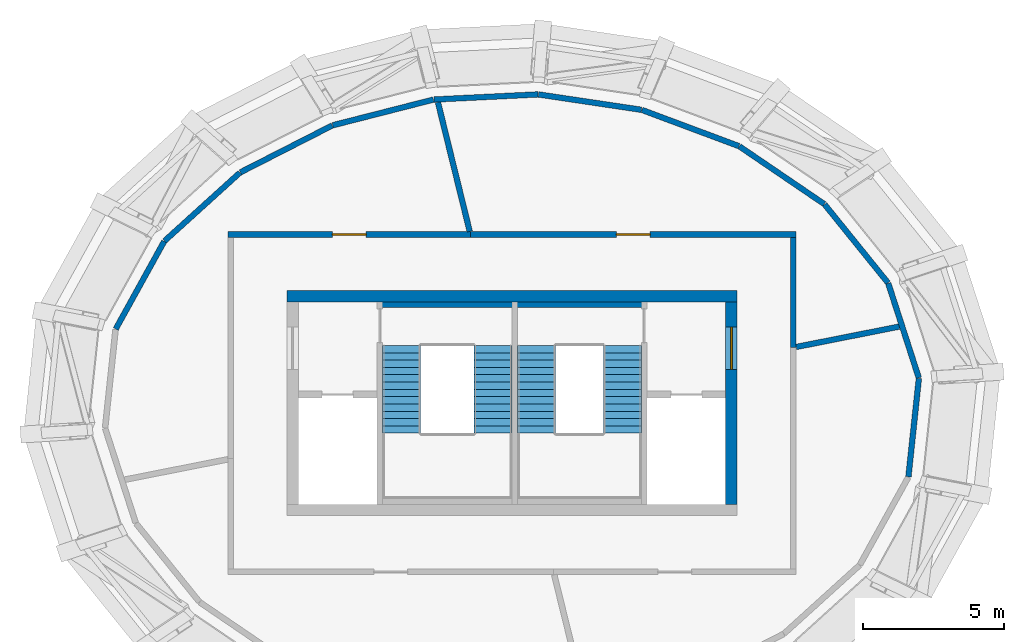
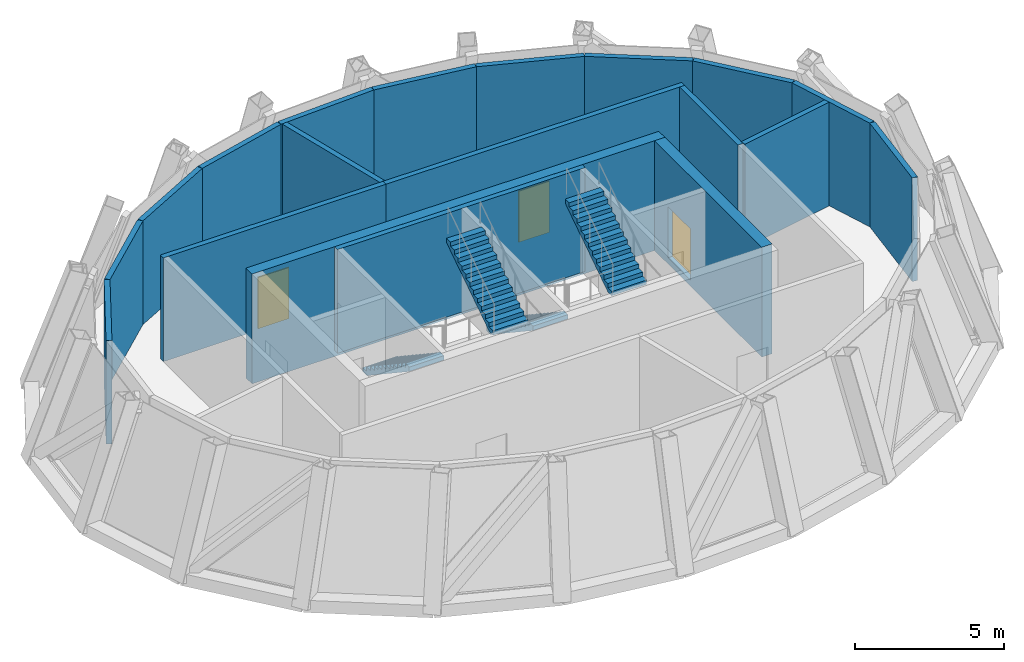
# One storey, part 5 of 6: 19 walls, 4 stair flights, 3 doors, 3 openings, 2 elements without a shape of their own.
"""IFC4 building model written with IfcOpenShell, lengths in metres."""

import ifcopenshell
import ifcopenshell.guid

model = None  # the IFC model being written
_history = None  # IfcOwnerHistory: only IFC2X3 demands one
_inside = {}  # id of a spatial element -> (the spatial element, [elements in it])
_under = {}  # id of a project, library or spatial element -> (it, [spatial elements below it])
_declared = {}  # id of a project -> (the project, [libraries it declares])
_typed = {}  # id of a type object -> (the type object, [elements of that type])
_made_of = {}  # id of a material, layer set ... -> (it, [elements and type objects made of it])


def new_model(schema):
    """Start an empty IFC model of exactly this schema.

    Asked for "IFC4X3", IfcOpenShell would pick the latest addendum, in which some entities
    have other attributes; the version numbers below select the first issue.
    IFC2X3 requires an IfcOwnerHistory on every rooted entity: one is made here for all.
    """
    global model, _history
    if schema == "IFC4X3":
        model = ifcopenshell.file(schema_version=(4, 3, 0, 0))
    else:
        model = ifcopenshell.file(schema=schema)
    _inside.clear()
    _under.clear()
    _declared.clear()
    _typed.clear()
    _made_of.clear()
    _history = None
    if model.schema == "IFC2X3":
        org = make("IfcOrganization", Name="unknown")
        user = make(
            "IfcPersonAndOrganization",
            ThePerson=make("IfcPerson", FamilyName="unknown"),
            TheOrganization=org,
        )
        app = make(
            "IfcApplication",
            ApplicationDeveloper=org,
            Version="unknown",
            ApplicationFullName="unknown",
            ApplicationIdentifier="unknown",
        )
        _history = make(
            "IfcOwnerHistory",
            OwningUser=user,
            OwningApplication=app,
            ChangeAction="ADDED",
            CreationDate=0,
        )
    return model


def make(cls, **values):
    """One entity of the class cls with the attributes given. An attribute that is None is left unset."""
    return model.create_entity(
        cls, **{name: value for name, value in values.items() if value is not None}
    )


def rooted(cls, **values):
    """An entity with a GlobalId (a new one), such as an element, a storey or a relation."""
    return make(cls, GlobalId=ifcopenshell.guid.new(), OwnerHistory=_history, **values)


def si_unit(unit_type, name, prefix=None):
    """IfcSIUnit, for example si_unit("LENGTHUNIT", "METRE", prefix="MILLI")."""
    return make("IfcSIUnit", UnitType=unit_type, Prefix=prefix, Name=name)


def assignment(units):
    """IfcUnitAssignment: the units of a project."""
    return None if units is None else make("IfcUnitAssignment", Units=units)


def point(xyz):
    """IfcCartesianPoint."""
    return None if xyz is None else make("IfcCartesianPoint", Coordinates=xyz)


def direction(xyz):
    """IfcDirection."""
    return None if xyz is None else make("IfcDirection", DirectionRatios=xyz)


def frame(location, z_axis=None, x_axis=None):
    """IfcAxis2Placement3D, a coordinate frame: its origin and axes. An axis left out is left unset."""
    return make(
        "IfcAxis2Placement3D",
        Location=point(location),
        Axis=direction(z_axis),
        RefDirection=direction(x_axis),
    )


def frame_2d(location, x_axis=None):
    """IfcAxis2Placement2D, a coordinate frame in the plane: its origin and x axis."""
    return make(
        "IfcAxis2Placement2D", Location=point(location), RefDirection=direction(x_axis)
    )


def origin():
    """The frame at (0, 0, 0) with its axes left unset."""
    return frame((0.0, 0.0, 0.0))


def place(relative_to, where):
    """IfcLocalPlacement: puts the frame where relative to a parent placement (None: the world)."""
    return make(
        "IfcLocalPlacement", PlacementRelTo=relative_to, RelativePlacement=where
    )


def context(
    kind, dimensions, precision=None, world=None, true_north=None, identifier=None
):
    """IfcGeometricRepresentationContext, for example the 3D "Model" context."""
    return make(
        "IfcGeometricRepresentationContext",
        ContextIdentifier=identifier,
        ContextType=kind,
        CoordinateSpaceDimension=dimensions,
        Precision=precision,
        WorldCoordinateSystem=world,
        TrueNorth=true_north,
    )


def subcontext(parent, identifier, kind, view, scale=None):
    """IfcGeometricRepresentationSubContext, for example "Body" below "Model"."""
    return make(
        "IfcGeometricRepresentationSubContext",
        ContextIdentifier=identifier,
        ContextType=kind,
        ParentContext=parent,
        TargetScale=scale,
        TargetView=view,
    )


def project(units=None, contexts=None):
    """IfcProject with its units and contexts."""
    return rooted(
        "IfcProject",
        Name="project",
        RepresentationContexts=contexts,
        UnitsInContext=assignment(units),
    )


def spatial(cls, under=None, at=None, **own):
    """A site, building, storey or space (cls), placed at a placement, below another one or the project."""
    s = rooted(cls, ObjectPlacement=at, **own)
    if under is not None:
        _under.setdefault(under.id(), (under, []))[1].append(s)
    return s


def polyline(points):
    """IfcPolyline through the points."""
    return make("IfcPolyline", Points=[point(p) for p in points])


def profile(cls, at=None, kind="AREA", **sizes):
    """A parametric profile (cls). Its sizes go by their IFC names, for example OverallWidth=200.0."""
    return make(cls, ProfileType=kind, Position=at, **sizes)


def rectangle(**sizes):
    """IfcRectangleProfileDef."""
    return profile("IfcRectangleProfileDef", **sizes)


def outline(outer, holes=None, kind="AREA"):
    """IfcArbitraryClosedProfileDef: a profile drawn as a closed curve; with holes, ...WithVoids."""
    if holes is None:
        return make("IfcArbitraryClosedProfileDef", ProfileType=kind, OuterCurve=outer)
    return make(
        "IfcArbitraryProfileDefWithVoids",
        ProfileType=kind,
        OuterCurve=outer,
        InnerCurves=holes,
    )


def extrude(swept, where, along, depth):
    """IfcExtrudedAreaSolid: the profile swept, set in the frame where, extruded along a direction by depth."""
    return make(
        "IfcExtrudedAreaSolid",
        SweptArea=swept,
        Position=where,
        ExtrudedDirection=direction(along),
        Depth=depth,
    )


def shape(context_of_items, identifier, shape_type, items):
    """IfcShapeRepresentation: the items that make up one representation, for example the "Body"."""
    return make(
        "IfcShapeRepresentation",
        ContextOfItems=context_of_items,
        RepresentationIdentifier=identifier,
        RepresentationType=shape_type,
        Items=items,
    )


def source(mapping_origin, context_of_items, identifier, shape_type, items):
    """IfcRepresentationMap: a shape defined once, which mapped items show again and again."""
    return make(
        "IfcRepresentationMap",
        MappingOrigin=mapping_origin,
        MappedRepresentation=shape(context_of_items, identifier, shape_type, items),
    )


def transform(
    local_origin,
    x_axis=None,
    y_axis=None,
    z_axis=None,
    scale=None,
    scale2=None,
    scale3=None,
    uniform=True,
):
    """IfcCartesianTransformationOperator3D, or its non-uniform kind. x_axis, y_axis, z_axis: its Axis1, 2, 3."""
    if uniform:
        return make(
            "IfcCartesianTransformationOperator3D",
            Axis1=direction(x_axis),
            Axis2=direction(y_axis),
            LocalOrigin=point(local_origin),
            Scale=scale,
            Axis3=direction(z_axis),
        )
    return make(
        "IfcCartesianTransformationOperator3DnonUniform",
        Axis1=direction(x_axis),
        Axis2=direction(y_axis),
        LocalOrigin=point(local_origin),
        Scale=scale,
        Axis3=direction(z_axis),
        Scale2=scale2,
        Scale3=scale3,
    )


def mapped(mapping_source, mapping_target):
    """IfcMappedItem: shows the shape of a source again, moved by a transform."""
    return make(
        "IfcMappedItem", MappingSource=mapping_source, MappingTarget=mapping_target
    )


def material(Name=None, Category=None):
    """IfcMaterial."""
    return make("IfcMaterial", Name=Name, Category=Category)


def layer(
    of_material, thickness, ventilated=None, Name=None, Category=None, Priority=None
):
    """IfcMaterialLayer: one layer of a wall or slab, of a material (None: an air gap)."""
    return make(
        "IfcMaterialLayer",
        Material=of_material,
        LayerThickness=thickness,
        IsVentilated=ventilated,
        Name=Name,
        Category=Category,
        Priority=Priority,
    )


def layer_set(layers, Name=None):
    """IfcMaterialLayerSet."""
    return make("IfcMaterialLayerSet", MaterialLayers=layers, LayerSetName=Name)


def made_of(thing, what):
    """Note that an element or type object is made of a material, layer set ...; save() writes the relation."""
    if what is not None:
        _made_of.setdefault(what.id(), (what, []))[1].append(thing)
    return thing


def type_object(cls, material=None, **own):
    """A type object (cls), such as IfcWallType, which elements share."""
    return made_of(rooted(cls, **own), material)


def element(
    cls,
    number,
    at=None,
    inside=None,
    cuts=None,
    type_object=None,
    material=None,
    context=None,
    identifier="Body",
    shape_type=None,
    held_by="IfcProductDefinitionShape",
    body=None,
    shapes=None,
    **own,
):
    """One element of the class cls, such as IfcWall. Its Tag is "e" and its number.

    at: its placement. inside: the storey or other place that contains it. cuts: it is an
    opening in that element (IfcRelVoidsElement). A single representation is given by context,
    identifier, shape_type and body (its items); several are given by shapes. held_by: the class
    of the entity that holds the representations. save() writes the other relations.
    """
    e = rooted(cls, Tag="e%d" % number, ObjectPlacement=at, **own)
    if body is not None:
        shapes = [shape(context, identifier, shape_type, body)]
    if shapes is not None:
        e.Representation = make(held_by, Representations=shapes)
    if inside is not None:
        _inside.setdefault(inside.id(), (inside, []))[1].append(e)
    if cuts is not None:
        rooted(
            "IfcRelVoidsElement", RelatingBuildingElement=cuts, RelatedOpeningElement=e
        )
    if type_object is not None:
        _typed.setdefault(type_object.id(), (type_object, []))[1].append(e)
    return made_of(e, material)


def fill(opening, filler):
    """IfcRelFillsElement: the door or window that sits in an opening."""
    return rooted(
        "IfcRelFillsElement",
        RelatingOpeningElement=opening,
        RelatedBuildingElement=filler,
    )


def aggregate(whole, parts):
    """IfcRelAggregates: a whole, such as a stair, and the parts it consists of."""
    return rooted("IfcRelAggregates", RelatingObject=whole, RelatedObjects=parts)


def save(model, path):
    """Write the relations noted so far, then the file.

    IfcRelAggregates (storeys below a building ...), IfcRelContainedInSpatialStructure (elements
    in a storey), IfcRelDefinesByType, IfcRelAssociatesMaterial and IfcRelDeclares: one each for
    every whole, place, type object, material and project.
    """
    for whole, parts in _under.values():
        aggregate(whole, parts)
    for where, things in _inside.values():
        rooted(
            "IfcRelContainedInSpatialStructure",
            RelatedElements=things,
            RelatingStructure=where,
        )
    for kind, things in _typed.values():
        rooted("IfcRelDefinesByType", RelatedObjects=things, RelatingType=kind)
    for what, things in _made_of.values():
        rooted("IfcRelAssociatesMaterial", RelatedObjects=things, RelatingMaterial=what)
    for by, libraries in _declared.values():
        rooted("IfcRelDeclares", RelatingContext=by, RelatedDefinitions=libraries)
    model.write(path)


model = new_model("IFC4")

# Units and contexts
model_context = context("Model", 3, precision=1e-05, world=origin(), true_north=direction((0.0, 1.0)))
body_context = subcontext(model_context, "Body", "Model", "MODEL_VIEW")
ifc_project = project(units=[si_unit("LENGTHUNIT", "METRE"), si_unit("AREAUNIT", "SQUARE_METRE"), si_unit("VOLUMEUNIT", "CUBIC_METRE"), si_unit("PLANEANGLEUNIT", "RADIAN"), si_unit("MASSUNIT", "GRAM", prefix="KILO")], contexts=[model_context])

# Site, building, storey
site_placement = place(None, origin())
site = spatial("IfcSite", under=ifc_project, at=site_placement, CompositionType="ELEMENT")
building_placement = place(site_placement, origin())
building = spatial("IfcBuilding", under=site, at=building_placement, Name="Embergate Tower", CompositionType="ELEMENT")
storey_placement = place(building_placement, frame((0.0, 0.0, 361.0)))
storey = spatial("IfcBuildingStorey", under=building, at=storey_placement, Name="L82", CompositionType="ELEMENT", Elevation=361.0)

# Wall
ifc_material_1 = material(Name="Concrete C50", Category="concrete")
ifc_layer_1 = layer(ifc_material_1, 0.39990234375)
ifc_layer_set_1 = layer_set([ifc_layer_1], Name="Concrete C50")
wall_type_1 = type_object("IfcWallType", Name="Core outer wall C50 400", PredefinedType="SHEAR", material=ifc_layer_set_1)
shared_shape_1 = source(origin(), body_context, "Body", "SweptSolid", [
    extrude(rectangle(XDim=16.0, YDim=0.39990234375, at=frame_2d((8.0, 0.0))), origin(), (0.0, 0.0, 1.0), 4.5),
])
wall_1_placement = place(storey_placement, frame((-8.0, 3.800048828125, -0.25), z_axis=(0.0, 0.0, 1.0), x_axis=(1.0, 0.0, 0.0)))
element("IfcWall", 1, at=wall_1_placement, inside=storey, type_object=wall_type_1, Name="CW-L82-N", PredefinedType="SHEAR", context=body_context, shape_type="MappedRepresentation", body=[
    mapped(shared_shape_1, transform((0.0, 0.0, 0.0))),
])

# Wall, opening, door
shared_shape_2 = source(origin(), body_context, "Body", "SweptSolid", [
    extrude(rectangle(XDim=7.2001953125, YDim=0.39990234375, at=frame_2d((3.60009765625, 0.0))), origin(), (0.0, 0.0, 1.0), 4.5),
])
wall_2_placement = place(storey_placement, frame((7.800048828125, -3.60009765625, -0.25), z_axis=(0.0, 0.0, 1.0), x_axis=(0.0, 1.0, 0.0)))
wall_2 = element("IfcWall", 2, at=wall_2_placement, inside=storey, type_object=wall_type_1, Name="CW-L82-E", PredefinedType="SHEAR", context=body_context, shape_type="MappedRepresentation", body=[
    mapped(shared_shape_2, transform((0.0, 0.0, 0.0))),
])
shared_shape_3 = source(origin(), body_context, "Body", "SweptSolid", [
    extrude(rectangle(XDim=1.5, YDim=2.10009765625, at=frame_2d((0.75, 1.050048828125))), frame((0.0, 0.2099609375, 0.0), z_axis=(0.0, -1.0, 0.0), x_axis=(1.0, 0.0, 0.0)), (0.0, 0.0, 1.0), 0.419921875),
])
opening_1_placement = place(wall_2_placement, frame((4.800048828125, 0.0, 0.25)))
opening_1 = element("IfcOpeningElement", 3, at=opening_1_placement, cuts=wall_2, Name="Opening IF-3", PredefinedType="OPENING", context=body_context, shape_type="MappedRepresentation", body=[
    mapped(shared_shape_3, transform((0.0, 0.0, 0.0))),
])
ifc_material_2 = material(Name="Lobby fire door pair 1500")
door_type_1 = type_object("IfcDoorType", Name="Lobby fire door pair 1500", OperationType="DOUBLE_DOOR_SINGLE_SWING", PredefinedType="DOOR", material=ifc_material_2)
shared_shape_4 = source(origin(), body_context, "Body", "SweptSolid", [
    extrude(rectangle(XDim=1.5, YDim=2.10009765625, at=frame_2d((0.75, 1.050048828125))), frame((0.0, 0.02490234375, 0.0), z_axis=(0.0, -1.0, 0.0), x_axis=(1.0, 0.0, 0.0)), (0.0, 0.0, 1.0), 0.050048828125),
])
door_1_placement = place(opening_1_placement, origin())
door_1 = element("IfcDoor", 4, at=door_1_placement, inside=storey, type_object=door_type_1, Name="IF-3 door", OperationType="DOUBLE_DOOR_SINGLE_SWING", OverallHeight=2.10009765625, OverallWidth=1.5, PredefinedType="DOOR", context=body_context, shape_type="MappedRepresentation", body=[
    mapped(shared_shape_4, transform((0.0, 0.0, 0.0))),
])
fill(opening_1, door_1)

# Walls
ifc_material_3 = material(Name="Terracotta louvre cladding on insulated backing", Category="masonry")
ifc_layer_2 = layer(ifc_material_3, 0.199951171875)
ifc_layer_set_2 = layer_set([ifc_layer_2], Name="Terracotta louvre cladding on insulated backing")
wall_type_2 = type_object("IfcWallType", Name="Terracotta louvre wall", PredefinedType="SOLIDWALL", material=ifc_layer_set_2)
shared_shape_5 = source(origin(), body_context, "Body", "SweptSolid", [
    extrude(rectangle(XDim=3.588623046875, YDim=0.199951171875, at=frame_2d((1.79443359375, 0.0))), origin(), (0.0, 0.0, 1.0), 4.25),
])
wall_3_placement = place(storey_placement, frame((11.118408203125, 7.068603515625, 0.0), z_axis=(0.0, 0.0, 1.0), x_axis=(0.62833869063, -0.777939901186, 0.0)))
element("IfcWall", 5, at=wall_3_placement, inside=storey, type_object=wall_type_2, Name="Crown louvre wall 1", PredefinedType="SOLIDWALL", context=body_context, shape_type="MappedRepresentation", body=[
    mapped(shared_shape_5, transform((0.0, 0.0, 0.0))),
])
shared_shape_6 = source(origin(), body_context, "Body", "SweptSolid", [
    extrude(rectangle(XDim=3.645263671875, YDim=0.199951171875, at=frame_2d((1.82275390625, 0.0))), origin(), (0.0, 0.0, 1.0), 4.25),
])
wall_4_placement = place(storey_placement, frame((8.089599609375, 9.131591796875, 0.0), z_axis=(0.0, 0.0, 1.0), x_axis=(0.826956398418, -0.562266053675, 0.0)))
element("IfcWall", 6, at=wall_4_placement, inside=storey, type_object=wall_type_2, Name="Crown louvre wall 2", PredefinedType="SOLIDWALL", context=body_context, shape_type="MappedRepresentation", body=[
    mapped(shared_shape_6, transform((0.0, 0.0, 0.0))),
])
shared_shape_7 = source(origin(), body_context, "Body", "SweptSolid", [
    extrude(rectangle(XDim=3.682373046875, YDim=0.199951171875, at=frame_2d((1.84130859375, 0.0))), origin(), (0.0, 0.0, 1.0), 4.25),
])
wall_5_placement = place(storey_placement, frame((4.6220703125, 10.427978515625, 0.0), z_axis=(0.0, 0.0, 1.0), x_axis=(0.936897406931, -0.349604417716, 0.0)))
element("IfcWall", 7, at=wall_5_placement, inside=storey, type_object=wall_type_2, Name="Crown louvre wall 3", PredefinedType="SOLIDWALL", context=body_context, shape_type="MappedRepresentation", body=[
    mapped(shared_shape_7, transform((0.0, 0.0, 0.0))),
])
shared_shape_8 = source(origin(), body_context, "Body", "SweptSolid", [
    extrude(rectangle(XDim=3.701171875, YDim=0.199951171875, at=frame_2d((1.8505859375, 0.0))), origin(), (0.0, 0.0, 1.0), 4.25),
])
wall_6_placement = place(storey_placement, frame((0.942138671875, 10.97900390625, 0.0), z_axis=(0.0, 0.0, 1.0), x_axis=(0.989053133618, -0.147559814586, 0.0)))
element("IfcWall", 8, at=wall_6_placement, inside=storey, type_object=wall_type_2, Name="Crown louvre wall 4", PredefinedType="SOLIDWALL", context=body_context, shape_type="MappedRepresentation", body=[
    mapped(shared_shape_8, transform((0.0, 0.0, 0.0))),
])
shared_shape_9 = source(origin(), body_context, "Body", "SweptSolid", [
    extrude(rectangle(XDim=3.703857421875, YDim=0.199951171875, at=frame_2d((1.85205078125, 0.0))), origin(), (0.0, 0.0, 1.0), 4.25),
])
wall_7_placement = place(storey_placement, frame((-2.77734375, 10.798583984375, 0.0), z_axis=(0.0, 0.0, 1.0), x_axis=(0.998800036237, 0.04897435669, 0.0)))
element("IfcWall", 9, at=wall_7_placement, inside=storey, type_object=wall_type_2, Name="Crown louvre wall 5", PredefinedType="SOLIDWALL", context=body_context, shape_type="MappedRepresentation", body=[
    mapped(shared_shape_9, transform((0.0, 0.0, 0.0))),
])
shared_shape_10 = source(origin(), body_context, "Body", "SweptSolid", [
    extrude(rectangle(XDim=3.693603515625, YDim=0.199951171875, at=frame_2d((1.8466796875, 0.0))), origin(), (0.0, 0.0, 1.0), 4.25),
])
wall_8_placement = place(storey_placement, frame((-6.3759765625, 9.882080078125, 0.0), z_axis=(0.0, 0.0, 1.0), x_axis=(0.968929170675, 0.247338355731, 0.0)))
element("IfcWall", 10, at=wall_8_placement, inside=storey, type_object=wall_type_2, Name="Crown louvre wall 6", PredefinedType="SOLIDWALL", context=body_context, shape_type="MappedRepresentation", body=[
    mapped(shared_shape_10, transform((0.0, 0.0, 0.0))),
])
shared_shape_11 = source(origin(), body_context, "Body", "SweptSolid", [
    extrude(rectangle(XDim=3.666259765625, YDim=0.199951171875, at=frame_2d((1.8330078125, 0.0))), origin(), (0.0, 0.0, 1.0), 4.25),
])
wall_9_placement = place(storey_placement, frame((-9.66015625, 8.208251953125, 0.0), z_axis=(0.0, 0.0, 1.0), x_axis=(0.89069419258, 0.454602964469, 0.0)))
element("IfcWall", 11, at=wall_9_placement, inside=storey, type_object=wall_type_2, Name="Crown louvre wall 7", PredefinedType="SOLIDWALL", context=body_context, shape_type="MappedRepresentation", body=[
    mapped(shared_shape_11, transform((0.0, 0.0, 0.0))),
])
shared_shape_12 = source(origin(), body_context, "Body", "SweptSolid", [
    extrude(rectangle(XDim=3.619384765625, YDim=0.199951171875, at=frame_2d((1.8095703125, 0.0))), origin(), (0.0, 0.0, 1.0), 4.25),
])
wall_10_placement = place(storey_placement, frame((-12.35888671875, 5.76708984375, 0.0), z_axis=(0.0, 0.0, 1.0), x_axis=(0.741120145492, 0.671372422688, 0.0)))
element("IfcWall", 12, at=wall_10_placement, inside=storey, type_object=wall_type_2, Name="Crown louvre wall 8", PredefinedType="SOLIDWALL", context=body_context, shape_type="MappedRepresentation", body=[
    mapped(shared_shape_12, transform((0.0, 0.0, 0.0))),
])
shared_shape_13 = source(origin(), body_context, "Body", "SweptSolid", [
    extrude(rectangle(XDim=3.55859375, YDim=0.199951171875, at=frame_2d((1.779296875, 0.0))), origin(), (0.0, 0.0, 1.0), 4.25),
])
wall_11_placement = place(storey_placement, frame((-14.09326171875, 2.6376953125, 0.0), z_axis=(0.0, 0.0, 1.0), x_axis=(0.483958553542, 0.875090920107, 0.0)))
element("IfcWall", 13, at=wall_11_placement, inside=storey, type_object=wall_type_2, Name="Crown louvre wall 9", PredefinedType="SOLIDWALL", context=body_context, shape_type="MappedRepresentation", body=[
    mapped(shared_shape_13, transform((0.0, 0.0, 0.0))),
])
shared_shape_14 = source(origin(), body_context, "Body", "SweptSolid", [
    extrude(rectangle(XDim=3.517578125, YDim=0.199951171875, at=frame_2d((1.7587890625, 0.0))), origin(), (0.0, 0.0, 1.0), 4.25),
])
wall_12_placement = place(storey_placement, frame((14.47119140625, 0.878662109375, 0.0), z_axis=(0.0, 0.0, 1.0), x_axis=(-0.105775833098, -0.994390000519, 0.0)))
element("IfcWall", 14, at=wall_12_placement, inside=storey, type_object=wall_type_2, Name="Crown louvre wall 21", PredefinedType="SOLIDWALL", context=body_context, shape_type="MappedRepresentation", body=[
    mapped(shared_shape_14, transform((0.0, 0.0, 0.0))),
])
shared_shape_15 = source(origin(), body_context, "Body", "SweptSolid", [
    extrude(rectangle(XDim=3.532470703125, YDim=0.199951171875, at=frame_2d((1.76611328125, 0.0))), origin(), (0.0, 0.0, 1.0), 4.25),
])
wall_13_placement = place(storey_placement, frame((13.382568359375, 4.259521484375, 0.0), z_axis=(0.0, 0.0, 1.0), x_axis=(0.307547938379, -0.951532587776, 0.0)))
element("IfcWall", 15, at=wall_13_placement, inside=storey, type_object=wall_type_2, Name="Crown louvre wall 22", PredefinedType="SOLIDWALL", context=body_context, shape_type="MappedRepresentation", body=[
    mapped(shared_shape_15, transform((0.0, 0.0, 0.0))),
])
ifc_layer_3 = layer(ifc_material_1, 0.199951171875)
ifc_layer_set_3 = layer_set([ifc_layer_3], Name="Concrete C50")
wall_type_3 = type_object("IfcWallType", Name="Stair enclosure wall reinforced concrete 250", PredefinedType="SHEAR", material=ifc_layer_set_3)
shared_shape_16 = source(origin(), body_context, "Body", "SweptSolid", [
    extrude(rectangle(XDim=9.59619140625, YDim=0.199951171875, at=frame_2d((4.798095703125, 0.0))), origin(), (0.0, 0.0, 1.0), 4.25),
])
wall_14_placement = place(storey_placement, frame((4.798095703125, 3.5, 0.0), z_axis=(0.0, 0.0, 1.0), x_axis=(-1.0, 0.0, 0.0)))
element("IfcWall", 16, at=wall_14_placement, inside=storey, type_object=wall_type_3, Name="SE-1 wall", PredefinedType="SHEAR", context=body_context, shape_type="MappedRepresentation", body=[
    mapped(shared_shape_16, transform((0.0, 0.0, 0.0))),
])
ifc_material_4 = material(Name="Blockwork, plastered", Category="masonry")
ifc_layer_4 = layer(ifc_material_4, 0.199951171875)
ifc_layer_set_4 = layer_set([ifc_layer_4], Name="Blockwork, plastered")
wall_type_4 = type_object("IfcWallType", Name="Fire partition wall 200 block", PredefinedType="PARTITIONING", material=ifc_layer_set_4)
shared_shape_17 = source(origin(), body_context, "Body", "SweptSolid", [
    extrude(rectangle(XDim=3.9228515625, YDim=0.199951171875, at=frame_2d((1.96142578125, 0.0))), origin(), (0.0, 0.0, 1.0), 4.25),
])
wall_15_placement = place(storey_placement, frame((10.0, 5.89990234375, 0.0), z_axis=(0.0, 0.0, 1.0), x_axis=(0.0, -1.0, 0.0)))
element("IfcWall", 17, at=wall_15_placement, inside=storey, type_object=wall_type_4, Name="Partition 011", PredefinedType="PARTITIONING", context=body_context, shape_type="MappedRepresentation", body=[
    mapped(shared_shape_17, transform((0.0, 0.0, 0.0))),
])
shared_shape_18 = source(origin(), body_context, "Body", "SweptSolid", [
    extrude(rectangle(XDim=3.737060546875, YDim=0.199951171875, at=frame_2d((1.86865234375, 0.0))), origin(), (0.0, 0.0, 1.0), 4.25),
])
wall_16_placement = place(storey_placement, frame((13.77392578125, 2.722900390625, 0.0), z_axis=(0.0, 0.0, 1.0), x_axis=(-0.981007998173, -0.193967284668, 0.0)))
element("IfcWall", 18, at=wall_16_placement, inside=storey, type_object=wall_type_4, Name="Partition 012", PredefinedType="PARTITIONING", context=body_context, shape_type="MappedRepresentation", body=[
    mapped(shared_shape_18, transform((0.0, 0.0, 0.0))),
])

# Wall, opening, door
shared_shape_19 = source(origin(), body_context, "Body", "SweptSolid", [
    extrude(rectangle(XDim=8.623046875, YDim=0.199951171875, at=frame_2d((4.3115234375, 0.0))), origin(), (0.0, 0.0, 1.0), 4.25),
])
wall_17_placement = place(storey_placement, frame((-10.10009765625, 6.0, 0.0), z_axis=(0.0, 0.0, 1.0), x_axis=(1.0, 0.0, 0.0)))
wall_17 = element("IfcWall", 19, at=wall_17_placement, inside=storey, type_object=wall_type_4, Name="Partition 004", PredefinedType="PARTITIONING", context=body_context, shape_type="MappedRepresentation", body=[
    mapped(shared_shape_19, transform((0.0, 0.0, 0.0))),
])
shared_shape_20 = source(origin(), body_context, "Body", "SweptSolid", [
    extrude(rectangle(XDim=1.199951171875, YDim=2.10009765625, at=frame_2d((0.60009765625, 1.050048828125))), frame((0.0, 0.10986328125, 0.0), z_axis=(0.0, -1.0, 0.0), x_axis=(1.0, 0.0, 0.0)), (0.0, 0.0, 1.0), 0.219970703125),
])
opening_2_placement = place(wall_17_placement, frame((3.7109375, 0.0, 0.0)))
opening_2 = element("IfcOpeningElement", 20, at=opening_2_placement, cuts=wall_17, Name="Opening DS-286", PredefinedType="OPENING", context=body_context, shape_type="MappedRepresentation", body=[
    mapped(shared_shape_20, transform((0.0, 0.0, 0.0))),
])
ifc_material_5 = material(Name="Timber door leaf, steel frame", Category="steel")
door_type_2 = type_object("IfcDoorType", Name="Plant door 1200x2100", OperationType="SINGLE_SWING_LEFT", PredefinedType="DOOR", material=ifc_material_5)
shared_shape_21 = source(origin(), body_context, "Body", "SweptSolid", [
    extrude(rectangle(XDim=1.199951171875, YDim=2.10009765625, at=frame_2d((0.60009765625, 1.050048828125))), frame((0.0, 0.02490234375, 0.0), z_axis=(0.0, -1.0, 0.0), x_axis=(1.0, 0.0, 0.0)), (0.0, 0.0, 1.0), 0.050048828125),
])
door_2_placement = place(opening_2_placement, origin())
door_2 = element("IfcDoor", 21, at=door_2_placement, inside=storey, type_object=door_type_2, Name="Door to Crown transformer room", OperationType="SINGLE_SWING_LEFT", OverallHeight=2.10009765625, OverallWidth=1.199951171875, PredefinedType="DOOR", context=body_context, shape_type="MappedRepresentation", body=[
    mapped(shared_shape_21, transform((0.0, 0.0, 0.0))),
])
fill(opening_2, door_2)

# Wall
shared_shape_22 = source(origin(), body_context, "Body", "SweptSolid", [
    extrude(rectangle(XDim=4.7353515625, YDim=0.199951171875, at=frame_2d((2.36767578125, 0.0))), origin(), (0.0, 0.0, 1.0), 4.25),
])
wall_18_placement = place(storey_placement, frame((-1.5029296875, 6.10693359375, 0.0), z_axis=(0.0, 0.0, 1.0), x_axis=(-0.239064665941, 0.971003648551, 0.0)))
element("IfcWall", 22, at=wall_18_placement, inside=storey, type_object=wall_type_4, Name="Partition 005", PredefinedType="PARTITIONING", context=body_context, shape_type="MappedRepresentation", body=[
    mapped(shared_shape_22, transform((0.0, 0.0, 0.0))),
])

# Wall, opening, door
shared_shape_23 = source(origin(), body_context, "Body", "SweptSolid", [
    extrude(rectangle(XDim=11.5771484375, YDim=0.199951171875, at=frame_2d((5.78857421875, 0.0))), origin(), (0.0, 0.0, 1.0), 4.25),
])
wall_19_placement = place(storey_placement, frame((-1.47705078125, 6.0, 0.0), z_axis=(0.0, 0.0, 1.0), x_axis=(1.0, 0.0, 0.0)))
wall_19 = element("IfcWall", 23, at=wall_19_placement, inside=storey, type_object=wall_type_4, Name="Partition 006", PredefinedType="PARTITIONING", context=body_context, shape_type="MappedRepresentation", body=[
    mapped(shared_shape_23, transform((0.0, 0.0, 0.0))),
])
opening_3_placement = place(wall_19_placement, frame((5.18896484375, 0.0, 0.0)))
opening_3 = element("IfcOpeningElement", 24, at=opening_3_placement, cuts=wall_19, Name="Opening DS-285", PredefinedType="OPENING", context=body_context, shape_type="MappedRepresentation", body=[
    mapped(shared_shape_20, transform((0.0, 0.0, 0.0))),
])
door_3_placement = place(opening_3_placement, origin())
door_3 = element("IfcDoor", 25, at=door_3_placement, inside=storey, type_object=door_type_2, Name="Door to Crown air handling plant room", OperationType="SINGLE_SWING_LEFT", OverallHeight=2.10009765625, OverallWidth=1.199951171875, PredefinedType="DOOR", context=body_context, shape_type="MappedRepresentation", body=[
    mapped(shared_shape_21, transform((0.0, 0.0, 0.0))),
])
fill(opening_3, door_3)

# Stair, stair flights
ifc_material_6 = material(Name="Exit stair")
stair_type = type_object("IfcStairType", Name="Exit stair", PredefinedType="HALF_TURN_STAIR", material=ifc_material_6)
stair_1_placement = place(storey_placement, origin())
stair_1 = element("IfcStair", 26, at=stair_1_placement, inside=storey, type_object=stair_type, Name="L82 Exit stair 1", PredefinedType="HALF_TURN_STAIR")
ifc_material_7 = material(Name="Concrete C40", Category="concrete")
stair_flight_type = type_object("IfcStairFlightType", Name="Stair flight reinforced concrete", PredefinedType="STRAIGHT", material=ifc_material_7)
shared_shape_24 = source(origin(), body_context, "Body", "SweptSolid", [
    extrude(outline(polyline([(0.0, 0.0), (0.0, 0.173095703125), (0.260009765625, 0.173095703125), (0.260009765625, 0.34619140625), (0.52001953125, 0.34619140625), (0.52001953125, 0.519287109375), (0.780029296875, 0.519287109375), (0.780029296875, 0.6923828125), (1.0400390625, 0.6923828125), (1.0400390625, 0.865478515625), (1.300048828125, 0.865478515625), (1.300048828125, 1.03857421875), (1.56005859375, 1.03857421875), (1.56005859375, 1.21142578125), (1.820068359375, 1.21142578125), (1.820068359375, 1.384521484375), (2.080078125, 1.384521484375), (2.080078125, 1.5576171875), (2.340087890625, 1.5576171875), (2.340087890625, 1.730712890625), (2.60009765625, 1.730712890625), (2.60009765625, 1.90380859375), (2.860107421875, 1.90380859375), (2.860107421875, 2.076904296875), (3.1201171875, 2.076904296875), (3.1201171875, 2.25), (3.1201171875, 1.896728515625), (0.2705078125, 0.0), (0.0, 0.0)])), frame((0.0, 0.675048828125, 0.0), z_axis=(0.0, -1.0, 0.0), x_axis=(1.0, 0.0, 0.0)), (0.0, 0.0, 1.0), 1.35009765625),
])
stair_flight_1_placement = place(storey_placement, frame((0.875, 2.050048828125, 0.0), z_axis=(0.0, 0.0, 1.0), x_axis=(0.0, -1.0, 0.0)))
stair_flight_1 = element("IfcStairFlight", 27, at=stair_flight_1_placement, type_object=stair_flight_type, Name="ST1 flight 1", NumberOfRisers=13, NumberOfTreads=12, PredefinedType="STRAIGHT", RiserHeight=0.173076923, TreadLength=0.26, context=body_context, shape_type="MappedRepresentation", body=[
    mapped(shared_shape_24, transform((0.0, 0.0, 0.0))),
])
stair_flight_2_placement = place(storey_placement, frame((3.925048828125, -1.070068359375, 2.25), z_axis=(0.0, 0.0, 1.0), x_axis=(0.0, 1.0, 0.0)))
stair_flight_2 = element("IfcStairFlight", 28, at=stair_flight_2_placement, type_object=stair_flight_type, Name="ST1 flight 2", NumberOfRisers=13, NumberOfTreads=12, PredefinedType="STRAIGHT", RiserHeight=0.173076923, TreadLength=0.26, context=body_context, shape_type="MappedRepresentation", body=[
    mapped(shared_shape_24, transform((0.0, 0.0, 0.0))),
])
aggregate(stair_1, [stair_flight_1, stair_flight_2])

stair_2_placement = place(storey_placement, origin())
stair_2 = element("IfcStair", 29, at=stair_2_placement, inside=storey, type_object=stair_type, Name="L82 Exit stair 3", PredefinedType="HALF_TURN_STAIR")
stair_flight_3_placement = place(storey_placement, frame((-3.925048828125, 2.050048828125, 0.0), z_axis=(0.0, 0.0, 1.0), x_axis=(0.0, -1.0, 0.0)))
stair_flight_3 = element("IfcStairFlight", 30, at=stair_flight_3_placement, type_object=stair_flight_type, Name="ST3 flight 1", NumberOfRisers=13, NumberOfTreads=12, PredefinedType="STRAIGHT", RiserHeight=0.173076923, TreadLength=0.26, context=body_context, shape_type="MappedRepresentation", body=[
    mapped(shared_shape_24, transform((0.0, 0.0, 0.0))),
])
stair_flight_4_placement = place(storey_placement, frame((-0.675048828125, -1.070068359375, 2.25), z_axis=(0.0, 0.0, 1.0), x_axis=(0.0, 1.0, 0.0)))
stair_flight_4 = element("IfcStairFlight", 31, at=stair_flight_4_placement, type_object=stair_flight_type, Name="ST3 flight 2", NumberOfRisers=13, NumberOfTreads=12, PredefinedType="STRAIGHT", RiserHeight=0.173076923, TreadLength=0.26, context=body_context, shape_type="MappedRepresentation", body=[
    mapped(shared_shape_24, transform((0.0, 0.0, 0.0))),
])
aggregate(stair_2, [stair_flight_3, stair_flight_4])

save(model, "model.ifc")
